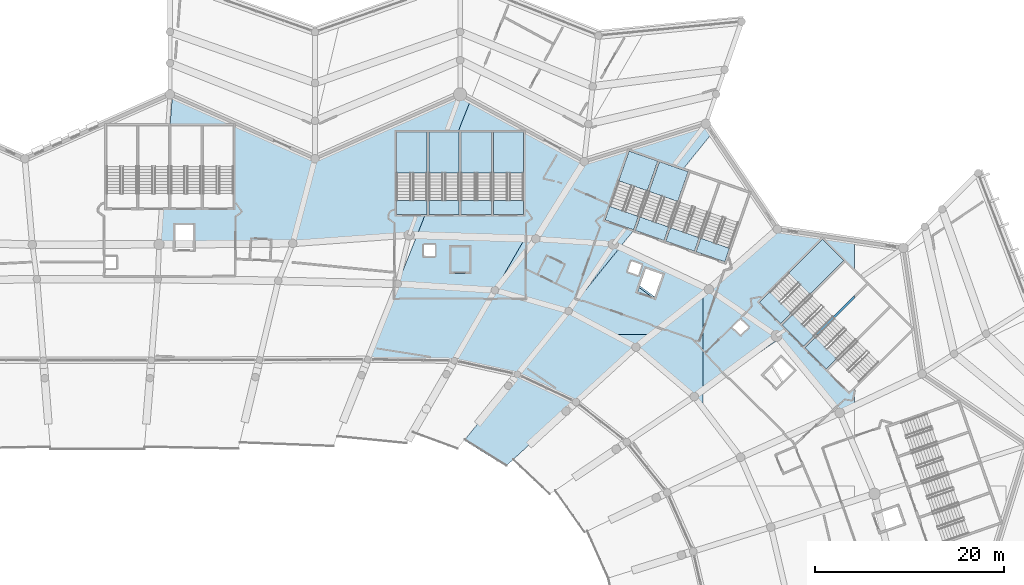
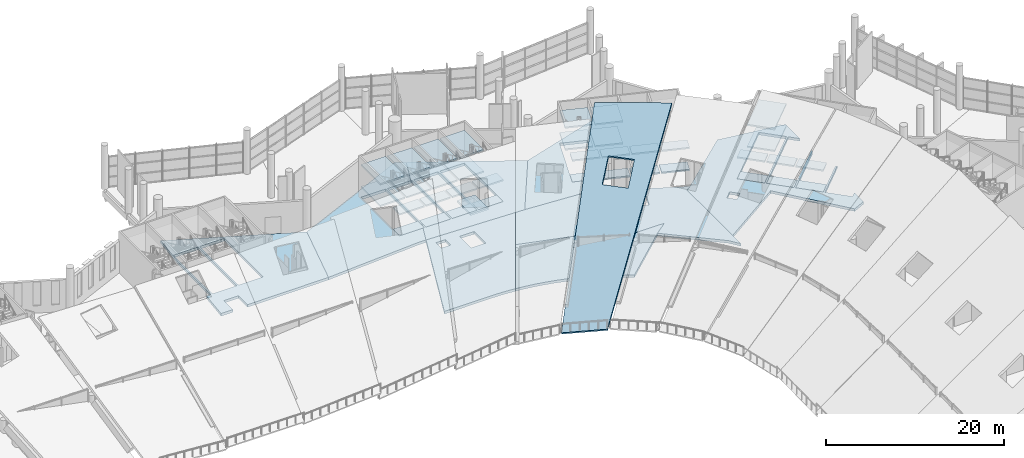
# One storey, part 132 of 249: 49 slabs, 11 elements without a shape of their own.
"""IFC4 building model written with IfcOpenShell, lengths in metres."""

from ifc_helpers import new_model, si_unit, direction, frame, origin, place, context, subcontext, project, spatial, polyline, outline, extrude, material, layer, layer_set, type_object, element, aggregate, save


model = new_model("IFC4")

# Units and contexts
model_context = context("Model", 3, precision=1e-05, world=origin(), true_north=direction((0.0, 1.0)))
body_context = subcontext(model_context, "Body", "Model", "MODEL_VIEW")
ifc_project = project(units=[si_unit("LENGTHUNIT", "METRE"), si_unit("AREAUNIT", "SQUARE_METRE"), si_unit("VOLUMEUNIT", "CUBIC_METRE"), si_unit("PLANEANGLEUNIT", "RADIAN"), si_unit("MASSUNIT", "GRAM", prefix="KILO")], contexts=[model_context])

# Site, building, storey
site_placement = place(None, origin())
site = spatial("IfcSite", under=ifc_project, at=site_placement, CompositionType="ELEMENT")
building_placement = place(site_placement, origin())
building = spatial("IfcBuilding", under=site, at=building_placement, Name="Meseta Stadium", CompositionType="ELEMENT")
storey_placement = place(building_placement, frame((0.0, 0.0, 12.0)))
storey = spatial("IfcBuildingStorey", under=building, at=storey_placement, Name="L02", CompositionType="ELEMENT", Elevation=12.0)

# Slabs
ifc_material_1 = material(Name="Concrete C40/50", Category="concrete")
ifc_layer_1 = layer(ifc_material_1, 0.25)
ifc_layer_set_1 = layer_set([ifc_layer_1], Name="Core roof slab 250")
slab_type_1 = type_object("IfcSlabType", Name="Core roof slab 250", PredefinedType="ROOF", material=ifc_layer_set_1)
slab_1_placement = place(storey_placement, frame((0.0, 0.0, 4.60009765625)))
element("IfcSlab", 1, at=slab_1_placement, inside=storey, type_object=slab_type_1, Name="Core 09 lift overrun roof", PredefinedType="ROOF", context=body_context, shape_type="SweptSolid", body=[
    extrude(outline(polyline([(39.4833984375, 89.451171875), (39.4833984375, 86.451171875), (37.183349609375, 86.451171875), (37.183349609375, 89.451171875), (39.4833984375, 89.451171875)])), origin(), (0.0, 0.0, 1.0), 0.25),
])
ifc_material_2 = material(Name="Concrete C40/50", Category="concrete")
ifc_layer_2 = layer(ifc_material_2, 0.35009765625)
ifc_layer_set_2 = layer_set([ifc_layer_2], Name="Floor slab 350")
slab_type_2 = type_object("IfcSlabType", Name="Floor slab 350", PredefinedType="FLOOR", material=ifc_layer_set_2)
slab_2_placement = place(storey_placement, frame((0.0, 0.0, -0.35009765625)))
element("IfcSlab", 2, at=slab_2_placement, inside=storey, type_object=slab_type_2, Name="Floor slab L02 sector 07 panel 01", PredefinedType="FLOOR", context=body_context, shape_type="SweptSolid", body=[
    extrude(outline(polyline([(49.800048828125, 82.493896484375), (44.39990234375, 75.802734375), (45.4638671875, 75.41845703125), (46.522216796875, 74.990478515625), (47.5634765625, 74.522705078125), (48.58642578125, 74.01611328125), (49.589599609375, 73.47119140625), (50.571533203125, 72.888916015625), (56.9150390625, 78.69580078125), (58.563720703125, 80.0), (54.4716796875, 80.0), (49.800048828125, 82.493896484375)])), origin(), (0.0, 0.0, 1.0), 0.35009765625),
])
slab_3_placement = place(storey_placement, frame((0.0, 0.0, -0.35009765625)))
element("IfcSlab", 3, at=slab_3_placement, inside=storey, type_object=slab_type_2, Name="Floor slab L02 sector 07 panel 02", PredefinedType="FLOOR", context=body_context, shape_type="SweptSolid", body=[
    extrude(outline(polyline([(58.563720703125, 80.0), (56.9150390625, 78.69580078125), (63.068115234375, 73.469970703125), (64.0, 72.251708984375), (64.0, 84.300537109375), (64.6220703125, 84.79248046875), (55.242919921875, 89.238037109375), (49.800048828125, 82.493896484375), (54.4716796875, 80.0), (58.563720703125, 80.0)]), holes=[polyline([(59.735595703125, 86.378173828125), (58.876953125, 83.924072265625), (57.08349609375, 84.551513671875), (57.9423828125, 87.005615234375), (59.735595703125, 86.378173828125)]), polyline([(57.156494140625, 86.274169921875), (56.02392578125, 86.67041015625), (56.42041015625, 87.802978515625), (57.552978515625, 87.40673828125), (57.156494140625, 86.274169921875)])]), origin(), (0.0, 0.0, 1.0), 0.35009765625),
])
slab_4_placement = place(storey_placement, frame((0.0, 0.0, -0.35009765625)))
element("IfcSlab", 4, at=slab_4_placement, inside=storey, type_object=slab_type_2, Name="Floor slab L02 sector 07 panel 06", PredefinedType="FLOOR", context=body_context, shape_type="SweptSolid", body=[
    extrude(outline(polyline([(77.183349609375, 76.233642578125), (80.94970703125, 80.0), (80.6669921875, 80.0), (77.0419921875, 76.375), (74.779296875, 78.6376953125), (76.141357421875, 80.0), (75.858642578125, 80.0), (74.6376953125, 78.779296875), (72.375, 81.0419921875), (79.02197265625, 87.688720703125), (80.0, 86.710693359375), (80.0, 89.94189453125), (71.856689453125, 91.15087890625), (64.6220703125, 84.79248046875), (64.0, 84.300537109375), (64.0, 74.098876953125), (72.06103515625, 79.54052734375), (78.4453125, 71.756103515625), (80.0, 72.48828125), (80.0, 74.524658203125), (79.4462890625, 73.970947265625), (77.183349609375, 76.233642578125)]), holes=[polyline([(67.963134765625, 81.650390625), (68.811767578125, 80.802001953125), (67.963134765625, 79.953369140625), (67.114501953125, 80.802001953125), (67.963134765625, 81.650390625)]), polyline([(78.880615234375, 87.830078125), (72.233642578125, 81.183349609375), (69.970947265625, 83.4462890625), (76.61767578125, 90.093017578125), (78.880615234375, 87.830078125)])]), origin(), (0.0, 0.0, 1.0), 0.35009765625),
])
slab_5_placement = place(storey_placement, frame((0.0, 0.0, -0.35009765625)))
element("IfcSlab", 5, at=slab_5_placement, inside=storey, type_object=slab_type_2, Name="Floor slab L02 sector 07 panel 11", PredefinedType="FLOOR", context=body_context, shape_type="SweptSolid", body=[
    extrude(outline(polyline([(75.858642578125, 80.0), (76.141357421875, 80.0), (80.0, 83.858642578125), (80.0, 84.141357421875), (75.858642578125, 80.0)])), origin(), (0.0, 0.0, 1.0), 0.35009765625),
])
slab_6_placement = place(storey_placement, frame((0.0, 0.0, -0.35009765625)))
element("IfcSlab", 6, at=slab_6_placement, inside=storey, type_object=slab_type_2, Name="Floor slab L02 sector 14 panel 08", PredefinedType="FLOOR", context=body_context, shape_type="SweptSolid", body=[
    extrude(outline(polyline([(10.11669921875, 91.60009765625), (10.11669921875, 89.574462890625), (20.649658203125, 89.65625), (23.0, 98.60009765625), (7.92724609375, 105.284423828125), (7.566650390625, 100.740478515625), (7.566650390625, 93.39990234375), (6.984130859375, 93.39990234375), (6.678466796875, 89.547607421875), (8.216796875, 89.5595703125), (8.216796875, 91.60009765625), (10.11669921875, 91.60009765625)]), holes=[polyline([(10.966796875, 102.10009765625), (10.966796875, 93.39990234375), (7.7666015625, 93.39990234375), (7.7666015625, 102.10009765625), (10.966796875, 102.10009765625)]), polyline([(14.36669921875, 102.10009765625), (14.36669921875, 93.39990234375), (11.166748046875, 93.39990234375), (11.166748046875, 102.10009765625), (14.36669921875, 102.10009765625)])]), origin(), (0.0, 0.0, 1.0), 0.35009765625),
])
slab_7_placement = place(storey_placement, frame((0.0, 0.0, -0.35009765625)))
element("IfcSlab", 7, at=slab_7_placement, inside=storey, type_object=slab_type_2, Name="Floor slab L02 sector 14 panel 10", PredefinedType="FLOOR", context=body_context, shape_type="SweptSolid", body=[
    extrude(outline(polyline([(38.09521484375, 101.39990234375), (39.443603515625, 104.798095703125), (38.333251953125, 105.39990234375), (23.0, 98.60009765625), (20.649658203125, 89.65625), (32.944091796875, 90.551025390625), (33.779541015625, 90.524658203125), (34.642822265625, 92.699951171875), (31.63330078125, 92.699951171875), (31.63330078125, 101.39990234375), (34.833251953125, 101.39990234375), (34.833251953125, 93.179931640625), (35.033203125, 93.683837890625), (35.033203125, 101.39990234375), (38.09521484375, 101.39990234375)])), origin(), (0.0, 0.0, 1.0), 0.35009765625),
])
slab_8_placement = place(storey_placement, frame((0.0, 0.0, -0.35009765625)))
element("IfcSlab", 8, at=slab_8_placement, inside=storey, type_object=slab_type_2, Name="Floor slab L02 sector 14 panel 11", PredefinedType="FLOOR", context=body_context, shape_type="SweptSolid", body=[
    extrude(outline(polyline([(28.564697265625, 77.38330078125), (34.292724609375, 77.41455078125), (35.43408203125, 77.40673828125), (36.57421875, 77.355712890625), (37.711669921875, 77.26171875), (45.169189453125, 90.1630859375), (33.779541015625, 90.524658203125), (28.564697265625, 77.38330078125)]), holes=[polyline([(37.38330078125, 89.251220703125), (39.283203125, 89.251220703125), (39.283203125, 86.651123046875), (37.38330078125, 86.651123046875), (37.38330078125, 89.251220703125)]), polyline([(35.683349609375, 88.301025390625), (34.4833984375, 88.301025390625), (34.4833984375, 89.501220703125), (35.683349609375, 89.501220703125), (35.683349609375, 88.301025390625)])]), origin(), (0.0, 0.0, 1.0), 0.35009765625),
])
slab_9_placement = place(storey_placement, frame((0.0, 0.0, -0.35009765625)))
element("IfcSlab", 9, at=slab_9_placement, inside=storey, type_object=slab_type_2, Name="Floor slab L02 sector 14 panel 12", PredefinedType="FLOOR", context=body_context, shape_type="SweptSolid", body=[
    extrude(outline(polyline([(43.302490234375, 76.153564453125), (44.3798828125, 75.809814453125), (49.78076171875, 82.501708984375), (42.015380859375, 84.707275390625), (37.711669921875, 77.26171875), (38.844970703125, 77.124755859375), (39.972412109375, 76.9453125), (41.092041015625, 76.723388671875), (42.20263671875, 76.459228515625), (43.302490234375, 76.153564453125)])), origin(), (0.0, 0.0, 1.0), 0.35009765625),
])
slab_10_placement = place(storey_placement, frame((0.0, 0.0, -0.35009765625)))
element("IfcSlab", 10, at=slab_10_placement, inside=storey, type_object=slab_type_2, Name="Floor slab L02 sector 14 panel 13", PredefinedType="FLOOR", context=body_context, shape_type="SweptSolid", body=[
    extrude(outline(polyline([(34.642822265625, 92.699951171875), (33.779541015625, 90.524658203125), (46.333251953125, 90.126220703125), (51.44140625, 98.29443359375), (39.443603515625, 104.798095703125), (38.09521484375, 101.39990234375), (38.2333984375, 101.39990234375), (38.2333984375, 92.699951171875), (35.033203125, 92.699951171875), (35.033203125, 93.683837890625), (34.833251953125, 93.179931640625), (34.833251953125, 92.699951171875), (34.642822265625, 92.699951171875)]), holes=[polyline([(38.433349609375, 101.39990234375), (41.63330078125, 101.39990234375), (41.63330078125, 92.699951171875), (38.433349609375, 92.699951171875), (38.433349609375, 101.39990234375)]), polyline([(41.833251953125, 101.39990234375), (45.033203125, 101.39990234375), (45.033203125, 92.699951171875), (41.833251953125, 92.699951171875), (41.833251953125, 101.39990234375)])]), origin(), (0.0, 0.0, 1.0), 0.35009765625),
])
slab_11_placement = place(storey_placement, frame((0.0, 0.0, -0.35009765625)))
element("IfcSlab", 11, at=slab_11_placement, inside=storey, type_object=slab_type_2, Name="Floor slab L02 sector 14 panel 14", PredefinedType="FLOOR", context=body_context, shape_type="SweptSolid", body=[
    extrude(outline(polyline([(42.015380859375, 84.707275390625), (49.781005859375, 82.501953125), (55.224365234375, 89.246826171875), (54.523193359375, 89.579345703125), (46.333251953125, 90.126220703125), (45.169189453125, 90.1630859375), (42.015380859375, 84.707275390625)])), origin(), (0.0, 0.0, 1.0), 0.35009765625),
])
slab_12_placement = place(storey_placement, frame((0.0, 0.0, -0.35009765625)))
element("IfcSlab", 12, at=slab_12_placement, inside=storey, type_object=slab_type_2, Name="Floor slab L02 sector 14 panel 15", PredefinedType="FLOOR", context=body_context, shape_type="SweptSolid", body=[
    extrude(outline(polyline([(59.399169921875, 98.2841796875), (61.8310546875, 97.43310546875), (64.961669921875, 101.312255859375), (64.297607421875, 102.291015625), (51.44140625, 98.29443359375), (46.333251953125, 90.126220703125), (54.523193359375, 89.579345703125), (55.224365234375, 89.246826171875), (57.011962890625, 91.4619140625), (59.399169921875, 98.2841796875)]), holes=[polyline([(56.667236328125, 91.082275390625), (53.646728515625, 92.13916015625), (56.18994140625, 99.406982421875), (59.21044921875, 98.35009765625), (56.667236328125, 91.082275390625)])]), origin(), (0.0, 0.0, 1.0), 0.35009765625),
])
ifc_material_3 = material(Name="Concrete C40/50", Category="concrete")
ifc_layer_3 = layer(ifc_material_3, 0.35009765625)
ifc_layer_set_3 = layer_set([ifc_layer_3], Name="Seating tier 350")
slab_type_3 = type_object("IfcSlabType", Name="Seating tier 350", PredefinedType="USERDEFINED", material=ifc_layer_set_3)
slab_13_placement = place(storey_placement, frame((43.15869140625, 66.102783203125, -0.681396484375), z_axis=(-0.363631466072, -0.385578691905, 0.84799836629), x_axis=(0.625963153254, 0.573026646343, 0.528971259474)))
element("IfcSlab", 13, at=slab_13_placement, inside=storey, type_object=slab_type_3, Name="Stand upper tier bay 14", ObjectType="SEATING TIER", PredefinedType="USERDEFINED", context=body_context, shape_type="SweptSolid", body=[
    extrude(outline(polyline([(0.0, 0.0), (28.28055076328011, 7.771561172376096e-16), (26.534692005527933, 8.579069425042743), (-1.5125177206102456, 4.9781827773906295), (0.0, 0.0)]), holes=[polyline([(17.173095703125, 2.13720703125), (20.703857421875, 2.357666015625), (20.517333984375, 5.3515625), (16.986328125, 5.13134765625), (17.173095703125, 2.13720703125)])]), origin(), (0.0, 0.0, -1.0), 0.35009765625),
])

# Stair, slabs
ifc_material_4 = material(Name="Concrete C40/50", Category="concrete")
stair_type = type_object("IfcStairType", Name="Exit stair 4 flights 150 mm risers", PredefinedType="HALF_TURN_STAIR", material=ifc_material_4)
stair_1_placement = place(storey_placement, origin())
stair_1 = element("IfcStair", 14, at=stair_1_placement, inside=storey, type_object=stair_type, Name="ST26 L02", PredefinedType="HALF_TURN_STAIR")
ifc_material_5 = material(Name="Concrete C40/50", Category="concrete")
ifc_layer_4 = layer(ifc_material_5, 0.199951171875)
ifc_layer_set_4 = layer_set([ifc_layer_4], Name="Stair landing 200")
slab_type_4 = type_object("IfcSlabType", Name="Stair landing 200", PredefinedType="LANDING", material=ifc_layer_set_4)
slab_14_placement = place(storey_placement, frame((0.0, 0.0, 2.800048828125)))
slab_14 = element("IfcSlab", 15, at=slab_14_placement, type_object=slab_type_4, Name="ST26 L02 landing 2", PredefinedType="LANDING", context=body_context, shape_type="SweptSolid", body=[
    extrude(outline(polyline([(77.0419921875, 76.375), (78.109619140625, 77.44287109375), (75.846923828125, 79.70556640625), (74.779296875, 78.637939453125), (77.0419921875, 76.375)])), origin(), (0.0, 0.0, 1.0), 0.199951171875),
])
slab_15_placement = place(storey_placement, frame((0.0, 0.0, -0.199951171875)))
slab_15 = element("IfcSlab", 16, at=slab_15_placement, type_object=slab_type_4, Name="ST26 L02 landing 4", PredefinedType="LANDING", context=body_context, shape_type="SweptSolid", body=[
    extrude(outline(polyline([(77.0419921875, 76.375), (78.109619140625, 77.44287109375), (75.846923828125, 79.70556640625), (74.779296875, 78.637939453125), (77.0419921875, 76.375)])), origin(), (0.0, 0.0, 1.0), 0.199951171875),
])
aggregate(stair_1, [slab_14, slab_15])

stair_2_placement = place(storey_placement, origin())
stair_2 = element("IfcStair", 17, at=stair_2_placement, inside=storey, type_object=stair_type, Name="ST27 L02", PredefinedType="HALF_TURN_STAIR")
slab_16_placement = place(storey_placement, frame((0.0, 0.0, 2.800048828125)))
slab_16 = element("IfcSlab", 18, at=slab_16_placement, type_object=slab_type_4, Name="ST27 L02 landing 2", PredefinedType="LANDING", context=body_context, shape_type="SweptSolid", body=[
    extrude(outline(polyline([(74.637939453125, 78.779296875), (75.70556640625, 79.846923828125), (73.44287109375, 82.109619140625), (72.375, 81.0419921875), (74.637939453125, 78.779296875)])), origin(), (0.0, 0.0, 1.0), 0.199951171875),
])
slab_17_placement = place(storey_placement, frame((0.0, 0.0, -0.199951171875)))
slab_17 = element("IfcSlab", 19, at=slab_17_placement, type_object=slab_type_4, Name="ST27 L02 landing 4", PredefinedType="LANDING", context=body_context, shape_type="SweptSolid", body=[
    extrude(outline(polyline([(74.637939453125, 78.779296875), (75.70556640625, 79.846923828125), (73.44287109375, 82.109619140625), (72.375, 81.0419921875), (74.637939453125, 78.779296875)])), origin(), (0.0, 0.0, 1.0), 0.199951171875),
])
aggregate(stair_2, [slab_16, slab_17])

stair_3_placement = place(storey_placement, origin())
stair_3 = element("IfcStair", 20, at=stair_3_placement, inside=storey, type_object=stair_type, Name="ST28 L02", PredefinedType="HALF_TURN_STAIR")
slab_18_placement = place(storey_placement, frame((0.0, 0.0, 1.300048828125)))
slab_18 = element("IfcSlab", 21, at=slab_18_placement, type_object=slab_type_4, Name="ST28 L02 landing 1", PredefinedType="LANDING", context=body_context, shape_type="SweptSolid", body=[
    extrude(outline(polyline([(75.32373046875, 84.2734375), (78.88037109375, 87.830322265625), (76.61767578125, 90.093017578125), (73.06103515625, 86.5361328125), (75.32373046875, 84.2734375)])), origin(), (0.0, 0.0, 1.0), 0.199951171875),
])
slab_19_placement = place(storey_placement, frame((0.0, 0.0, 2.800048828125)))
slab_19 = element("IfcSlab", 22, at=slab_19_placement, type_object=slab_type_4, Name="ST28 L02 landing 2", PredefinedType="LANDING", context=body_context, shape_type="SweptSolid", body=[
    extrude(outline(polyline([(72.233642578125, 81.183349609375), (73.301513671875, 82.251220703125), (71.03857421875, 84.513916015625), (69.970947265625, 83.446044921875), (72.233642578125, 81.183349609375)])), origin(), (0.0, 0.0, 1.0), 0.199951171875),
])
slab_20_placement = place(storey_placement, frame((0.0, 0.0, 4.300048828125)))
slab_20 = element("IfcSlab", 23, at=slab_20_placement, type_object=slab_type_4, Name="ST28 L02 landing 3", PredefinedType="LANDING", context=body_context, shape_type="SweptSolid", body=[
    extrude(outline(polyline([(75.32373046875, 84.2734375), (78.88037109375, 87.830322265625), (76.61767578125, 90.093017578125), (73.06103515625, 86.5361328125), (75.32373046875, 84.2734375)])), origin(), (0.0, 0.0, 1.0), 0.199951171875),
])
slab_21_placement = place(storey_placement, frame((0.0, 0.0, -0.199951171875)))
slab_21 = element("IfcSlab", 24, at=slab_21_placement, type_object=slab_type_4, Name="ST28 L02 landing 4", PredefinedType="LANDING", context=body_context, shape_type="SweptSolid", body=[
    extrude(outline(polyline([(72.233642578125, 81.183349609375), (73.301513671875, 82.251220703125), (71.03857421875, 84.513916015625), (69.970947265625, 83.446044921875), (72.233642578125, 81.183349609375)])), origin(), (0.0, 0.0, 1.0), 0.199951171875),
])
aggregate(stair_3, [slab_18, slab_19, slab_20, slab_21])

stair_4_placement = place(storey_placement, origin())
stair_4 = element("IfcStair", 25, at=stair_4_placement, inside=storey, type_object=stair_type, Name="ST29 L02", PredefinedType="HALF_TURN_STAIR")
slab_22_placement = place(storey_placement, frame((0.0, 0.0, 2.800048828125)))
slab_22 = element("IfcSlab", 26, at=slab_22_placement, type_object=slab_type_4, Name="ST29 L02 landing 2", PredefinedType="LANDING", context=body_context, shape_type="SweptSolid", body=[
    extrude(outline(polyline([(66.294921875, 87.71337890625), (66.79345703125, 89.138671875), (63.773193359375, 90.195556640625), (63.2744140625, 88.770263671875), (66.294921875, 87.71337890625)])), origin(), (0.0, 0.0, 1.0), 0.199951171875),
])
slab_23_placement = place(storey_placement, frame((0.0, 0.0, -0.199951171875)))
slab_23 = element("IfcSlab", 27, at=slab_23_placement, type_object=slab_type_4, Name="ST29 L02 landing 4", PredefinedType="LANDING", context=body_context, shape_type="SweptSolid", body=[
    extrude(outline(polyline([(66.294921875, 87.71337890625), (66.79345703125, 89.138671875), (63.773193359375, 90.195556640625), (63.2744140625, 88.770263671875), (66.294921875, 87.71337890625)])), origin(), (0.0, 0.0, 1.0), 0.199951171875),
])
aggregate(stair_4, [slab_22, slab_23])

stair_5_placement = place(storey_placement, origin())
stair_5 = element("IfcStair", 28, at=stair_5_placement, inside=storey, type_object=stair_type, Name="ST30 L02", PredefinedType="HALF_TURN_STAIR")
slab_24_placement = place(storey_placement, frame((0.0, 0.0, 2.800048828125)))
slab_24 = element("IfcSlab", 29, at=slab_24_placement, type_object=slab_type_4, Name="ST30 L02 landing 2", PredefinedType="LANDING", context=body_context, shape_type="SweptSolid", body=[
    extrude(outline(polyline([(63.085693359375, 88.83642578125), (63.584228515625, 90.26171875), (60.56396484375, 91.318603515625), (60.065185546875, 89.893310546875), (63.085693359375, 88.83642578125)])), origin(), (0.0, 0.0, 1.0), 0.199951171875),
])
slab_25_placement = place(storey_placement, frame((0.0, 0.0, -0.199951171875)))
slab_25 = element("IfcSlab", 30, at=slab_25_placement, type_object=slab_type_4, Name="ST30 L02 landing 4", PredefinedType="LANDING", context=body_context, shape_type="SweptSolid", body=[
    extrude(outline(polyline([(63.085693359375, 88.83642578125), (63.584228515625, 90.26171875), (60.56396484375, 91.318603515625), (60.065185546875, 89.893310546875), (63.085693359375, 88.83642578125)])), origin(), (0.0, 0.0, 1.0), 0.199951171875),
])
aggregate(stair_5, [slab_24, slab_25])

stair_6_placement = place(storey_placement, origin())
stair_6 = element("IfcStair", 31, at=stair_6_placement, inside=storey, type_object=stair_type, Name="ST31 L02", PredefinedType="HALF_TURN_STAIR")
slab_26_placement = place(storey_placement, frame((0.0, 0.0, 1.300048828125)))
slab_26 = element("IfcSlab", 32, at=slab_26_placement, type_object=slab_type_4, Name="ST31 L02 landing 1", PredefinedType="LANDING", context=body_context, shape_type="SweptSolid", body=[
    extrude(outline(polyline([(61.31982421875, 94.083984375), (62.419677734375, 97.227294921875), (59.399169921875, 98.2841796875), (58.29931640625, 95.140869140625), (61.31982421875, 94.083984375)])), origin(), (0.0, 0.0, 1.0), 0.199951171875),
])
slab_27_placement = place(storey_placement, frame((0.0, 0.0, 2.800048828125)))
slab_27 = element("IfcSlab", 33, at=slab_27_placement, type_object=slab_type_4, Name="ST31 L02 landing 2", PredefinedType="LANDING", context=body_context, shape_type="SweptSolid", body=[
    extrude(outline(polyline([(59.87646484375, 89.959228515625), (60.375244140625, 91.384521484375), (57.354736328125, 92.44140625), (56.85595703125, 91.01611328125), (59.87646484375, 89.959228515625)])), origin(), (0.0, 0.0, 1.0), 0.199951171875),
])
slab_28_placement = place(storey_placement, frame((0.0, 0.0, 4.300048828125)))
slab_28 = element("IfcSlab", 34, at=slab_28_placement, type_object=slab_type_4, Name="ST31 L02 landing 3", PredefinedType="LANDING", context=body_context, shape_type="SweptSolid", body=[
    extrude(outline(polyline([(61.31982421875, 94.083984375), (62.419677734375, 97.227294921875), (59.399169921875, 98.2841796875), (58.29931640625, 95.140869140625), (61.31982421875, 94.083984375)])), origin(), (0.0, 0.0, 1.0), 0.199951171875),
])
slab_29_placement = place(storey_placement, frame((0.0, 0.0, -0.199951171875)))
slab_29 = element("IfcSlab", 35, at=slab_29_placement, type_object=slab_type_4, Name="ST31 L02 landing 4", PredefinedType="LANDING", context=body_context, shape_type="SweptSolid", body=[
    extrude(outline(polyline([(59.87646484375, 89.959228515625), (60.375244140625, 91.384521484375), (57.354736328125, 92.44140625), (56.85595703125, 91.01611328125), (59.87646484375, 89.959228515625)])), origin(), (0.0, 0.0, 1.0), 0.199951171875),
])
aggregate(stair_6, [slab_26, slab_27, slab_28, slab_29])

stair_7_placement = place(storey_placement, origin())
stair_7 = element("IfcStair", 36, at=stair_7_placement, inside=storey, type_object=stair_type, Name="ST32 L02", PredefinedType="HALF_TURN_STAIR")
slab_30_placement = place(storey_placement, frame((0.0, 0.0, 1.300048828125)))
slab_30 = element("IfcSlab", 37, at=slab_30_placement, type_object=slab_type_4, Name="ST32 L02 landing 1", PredefinedType="LANDING", context=body_context, shape_type="SweptSolid", body=[
    extrude(outline(polyline([(58.110595703125, 95.20703125), (59.21044921875, 98.35009765625), (56.18994140625, 99.406982421875), (55.090087890625, 96.263916015625), (58.110595703125, 95.20703125)])), origin(), (0.0, 0.0, 1.0), 0.199951171875),
])
slab_31_placement = place(storey_placement, frame((0.0, 0.0, 2.800048828125)))
slab_31 = element("IfcSlab", 38, at=slab_31_placement, type_object=slab_type_4, Name="ST32 L02 landing 2", PredefinedType="LANDING", context=body_context, shape_type="SweptSolid", body=[
    extrude(outline(polyline([(56.667236328125, 91.082275390625), (57.166015625, 92.507568359375), (54.1455078125, 93.564453125), (53.646728515625, 92.13916015625), (56.667236328125, 91.082275390625)])), origin(), (0.0, 0.0, 1.0), 0.199951171875),
])
slab_32_placement = place(storey_placement, frame((0.0, 0.0, 4.300048828125)))
slab_32 = element("IfcSlab", 39, at=slab_32_placement, type_object=slab_type_4, Name="ST32 L02 landing 3", PredefinedType="LANDING", context=body_context, shape_type="SweptSolid", body=[
    extrude(outline(polyline([(58.110595703125, 95.20703125), (59.21044921875, 98.35009765625), (56.18994140625, 99.406982421875), (55.090087890625, 96.263916015625), (58.110595703125, 95.20703125)])), origin(), (0.0, 0.0, 1.0), 0.199951171875),
])
slab_33_placement = place(storey_placement, frame((0.0, 0.0, -0.199951171875)))
slab_33 = element("IfcSlab", 40, at=slab_33_placement, type_object=slab_type_4, Name="ST32 L02 landing 4", PredefinedType="LANDING", context=body_context, shape_type="SweptSolid", body=[
    extrude(outline(polyline([(56.667236328125, 91.082275390625), (57.166015625, 92.507568359375), (54.1455078125, 93.564453125), (53.646728515625, 92.13916015625), (56.667236328125, 91.082275390625)])), origin(), (0.0, 0.0, 1.0), 0.199951171875),
])
aggregate(stair_7, [slab_30, slab_31, slab_32, slab_33])

stair_8_placement = place(storey_placement, origin())
stair_8 = element("IfcStair", 41, at=stair_8_placement, inside=storey, type_object=stair_type, Name="ST33 L02", PredefinedType="HALF_TURN_STAIR")
slab_34_placement = place(storey_placement, frame((0.0, 0.0, 1.300048828125)))
slab_34 = element("IfcSlab", 42, at=slab_34_placement, type_object=slab_type_4, Name="ST33 L02 landing 1", PredefinedType="LANDING", context=body_context, shape_type="SweptSolid", body=[
    extrude(outline(polyline([(45.033447265625, 97.070068359375), (45.033447265625, 101.39990234375), (41.833251953125, 101.39990234375), (41.833251953125, 97.070068359375), (45.033447265625, 97.070068359375)])), origin(), (0.0, 0.0, 1.0), 0.199951171875),
])
slab_35_placement = place(storey_placement, frame((0.0, 0.0, 2.800048828125)))
slab_35 = element("IfcSlab", 43, at=slab_35_placement, type_object=slab_type_4, Name="ST33 L02 landing 2", PredefinedType="LANDING", context=body_context, shape_type="SweptSolid", body=[
    extrude(outline(polyline([(45.033447265625, 92.699951171875), (45.033447265625, 94.2099609375), (41.833251953125, 94.2099609375), (41.833251953125, 92.699951171875), (45.033447265625, 92.699951171875)])), origin(), (0.0, 0.0, 1.0), 0.199951171875),
])
slab_36_placement = place(storey_placement, frame((0.0, 0.0, 4.300048828125)))
slab_36 = element("IfcSlab", 44, at=slab_36_placement, type_object=slab_type_4, Name="ST33 L02 landing 3", PredefinedType="LANDING", context=body_context, shape_type="SweptSolid", body=[
    extrude(outline(polyline([(45.033447265625, 97.070068359375), (45.033447265625, 101.39990234375), (41.833251953125, 101.39990234375), (41.833251953125, 97.070068359375), (45.033447265625, 97.070068359375)])), origin(), (0.0, 0.0, 1.0), 0.199951171875),
])
slab_37_placement = place(storey_placement, frame((0.0, 0.0, -0.199951171875)))
slab_37 = element("IfcSlab", 45, at=slab_37_placement, type_object=slab_type_4, Name="ST33 L02 landing 4", PredefinedType="LANDING", context=body_context, shape_type="SweptSolid", body=[
    extrude(outline(polyline([(45.033447265625, 92.699951171875), (45.033447265625, 94.2099609375), (41.833251953125, 94.2099609375), (41.833251953125, 92.699951171875), (45.033447265625, 92.699951171875)])), origin(), (0.0, 0.0, 1.0), 0.199951171875),
])
aggregate(stair_8, [slab_34, slab_35, slab_36, slab_37])

stair_9_placement = place(storey_placement, origin())
stair_9 = element("IfcStair", 46, at=stair_9_placement, inside=storey, type_object=stair_type, Name="ST34 L02", PredefinedType="HALF_TURN_STAIR")
slab_38_placement = place(storey_placement, frame((0.0, 0.0, 1.300048828125)))
slab_38 = element("IfcSlab", 47, at=slab_38_placement, type_object=slab_type_4, Name="ST34 L02 landing 1", PredefinedType="LANDING", context=body_context, shape_type="SweptSolid", body=[
    extrude(outline(polyline([(41.63330078125, 97.070068359375), (41.63330078125, 101.39990234375), (38.433349609375, 101.39990234375), (38.433349609375, 97.070068359375), (41.63330078125, 97.070068359375)])), origin(), (0.0, 0.0, 1.0), 0.199951171875),
])
slab_39_placement = place(storey_placement, frame((0.0, 0.0, 2.800048828125)))
slab_39 = element("IfcSlab", 48, at=slab_39_placement, type_object=slab_type_4, Name="ST34 L02 landing 2", PredefinedType="LANDING", context=body_context, shape_type="SweptSolid", body=[
    extrude(outline(polyline([(41.63330078125, 92.699951171875), (41.63330078125, 94.2099609375), (38.433349609375, 94.2099609375), (38.433349609375, 92.699951171875), (41.63330078125, 92.699951171875)])), origin(), (0.0, 0.0, 1.0), 0.199951171875),
])
slab_40_placement = place(storey_placement, frame((0.0, 0.0, 4.300048828125)))
slab_40 = element("IfcSlab", 49, at=slab_40_placement, type_object=slab_type_4, Name="ST34 L02 landing 3", PredefinedType="LANDING", context=body_context, shape_type="SweptSolid", body=[
    extrude(outline(polyline([(41.63330078125, 97.070068359375), (41.63330078125, 101.39990234375), (38.433349609375, 101.39990234375), (38.433349609375, 97.070068359375), (41.63330078125, 97.070068359375)])), origin(), (0.0, 0.0, 1.0), 0.199951171875),
])
slab_41_placement = place(storey_placement, frame((0.0, 0.0, -0.199951171875)))
slab_41 = element("IfcSlab", 50, at=slab_41_placement, type_object=slab_type_4, Name="ST34 L02 landing 4", PredefinedType="LANDING", context=body_context, shape_type="SweptSolid", body=[
    extrude(outline(polyline([(41.63330078125, 92.699951171875), (41.63330078125, 94.2099609375), (38.433349609375, 94.2099609375), (38.433349609375, 92.699951171875), (41.63330078125, 92.699951171875)])), origin(), (0.0, 0.0, 1.0), 0.199951171875),
])
aggregate(stair_9, [slab_38, slab_39, slab_40, slab_41])

stair_10_placement = place(storey_placement, origin())
stair_10 = element("IfcStair", 51, at=stair_10_placement, inside=storey, type_object=stair_type, Name="ST35 L02", PredefinedType="HALF_TURN_STAIR")
slab_42_placement = place(storey_placement, frame((0.0, 0.0, 1.300048828125)))
slab_42 = element("IfcSlab", 52, at=slab_42_placement, type_object=slab_type_4, Name="ST35 L02 landing 1", PredefinedType="LANDING", context=body_context, shape_type="SweptSolid", body=[
    extrude(outline(polyline([(38.2333984375, 97.070068359375), (38.2333984375, 101.39990234375), (35.033447265625, 101.39990234375), (35.033447265625, 97.070068359375), (38.2333984375, 97.070068359375)])), origin(), (0.0, 0.0, 1.0), 0.199951171875),
])
slab_43_placement = place(storey_placement, frame((0.0, 0.0, 2.800048828125)))
slab_43 = element("IfcSlab", 53, at=slab_43_placement, type_object=slab_type_4, Name="ST35 L02 landing 2", PredefinedType="LANDING", context=body_context, shape_type="SweptSolid", body=[
    extrude(outline(polyline([(38.2333984375, 92.699951171875), (38.2333984375, 94.2099609375), (35.033447265625, 94.2099609375), (35.033447265625, 92.699951171875), (38.2333984375, 92.699951171875)])), origin(), (0.0, 0.0, 1.0), 0.199951171875),
])
slab_44_placement = place(storey_placement, frame((0.0, 0.0, 4.300048828125)))
slab_44 = element("IfcSlab", 54, at=slab_44_placement, type_object=slab_type_4, Name="ST35 L02 landing 3", PredefinedType="LANDING", context=body_context, shape_type="SweptSolid", body=[
    extrude(outline(polyline([(38.2333984375, 97.070068359375), (38.2333984375, 101.39990234375), (35.033447265625, 101.39990234375), (35.033447265625, 97.070068359375), (38.2333984375, 97.070068359375)])), origin(), (0.0, 0.0, 1.0), 0.199951171875),
])
slab_45_placement = place(storey_placement, frame((0.0, 0.0, -0.199951171875)))
slab_45 = element("IfcSlab", 55, at=slab_45_placement, type_object=slab_type_4, Name="ST35 L02 landing 4", PredefinedType="LANDING", context=body_context, shape_type="SweptSolid", body=[
    extrude(outline(polyline([(38.2333984375, 92.699951171875), (38.2333984375, 94.2099609375), (35.033447265625, 94.2099609375), (35.033447265625, 92.699951171875), (38.2333984375, 92.699951171875)])), origin(), (0.0, 0.0, 1.0), 0.199951171875),
])
aggregate(stair_10, [slab_42, slab_43, slab_44, slab_45])

stair_11_placement = place(storey_placement, origin())
stair_11 = element("IfcStair", 56, at=stair_11_placement, inside=storey, type_object=stair_type, Name="ST36 L02", PredefinedType="HALF_TURN_STAIR")
slab_46_placement = place(storey_placement, frame((0.0, 0.0, 1.300048828125)))
slab_46 = element("IfcSlab", 57, at=slab_46_placement, type_object=slab_type_4, Name="ST36 L02 landing 1", PredefinedType="LANDING", context=body_context, shape_type="SweptSolid", body=[
    extrude(outline(polyline([(34.833251953125, 97.070068359375), (34.833251953125, 101.39990234375), (31.63330078125, 101.39990234375), (31.63330078125, 97.070068359375), (34.833251953125, 97.070068359375)])), origin(), (0.0, 0.0, 1.0), 0.199951171875),
])
slab_47_placement = place(storey_placement, frame((0.0, 0.0, 2.800048828125)))
slab_47 = element("IfcSlab", 58, at=slab_47_placement, type_object=slab_type_4, Name="ST36 L02 landing 2", PredefinedType="LANDING", context=body_context, shape_type="SweptSolid", body=[
    extrude(outline(polyline([(34.833251953125, 92.699951171875), (34.833251953125, 94.2099609375), (31.63330078125, 94.2099609375), (31.63330078125, 92.699951171875), (34.833251953125, 92.699951171875)])), origin(), (0.0, 0.0, 1.0), 0.199951171875),
])
slab_48_placement = place(storey_placement, frame((0.0, 0.0, 4.300048828125)))
slab_48 = element("IfcSlab", 59, at=slab_48_placement, type_object=slab_type_4, Name="ST36 L02 landing 3", PredefinedType="LANDING", context=body_context, shape_type="SweptSolid", body=[
    extrude(outline(polyline([(34.833251953125, 97.070068359375), (34.833251953125, 101.39990234375), (31.63330078125, 101.39990234375), (31.63330078125, 97.070068359375), (34.833251953125, 97.070068359375)])), origin(), (0.0, 0.0, 1.0), 0.199951171875),
])
slab_49_placement = place(storey_placement, frame((0.0, 0.0, -0.199951171875)))
slab_49 = element("IfcSlab", 60, at=slab_49_placement, type_object=slab_type_4, Name="ST36 L02 landing 4", PredefinedType="LANDING", context=body_context, shape_type="SweptSolid", body=[
    extrude(outline(polyline([(34.833251953125, 92.699951171875), (34.833251953125, 94.2099609375), (31.63330078125, 94.2099609375), (31.63330078125, 92.699951171875), (34.833251953125, 92.699951171875)])), origin(), (0.0, 0.0, 1.0), 0.199951171875),
])
aggregate(stair_11, [slab_46, slab_47, slab_48, slab_49])

save(model, "model.ifc")
